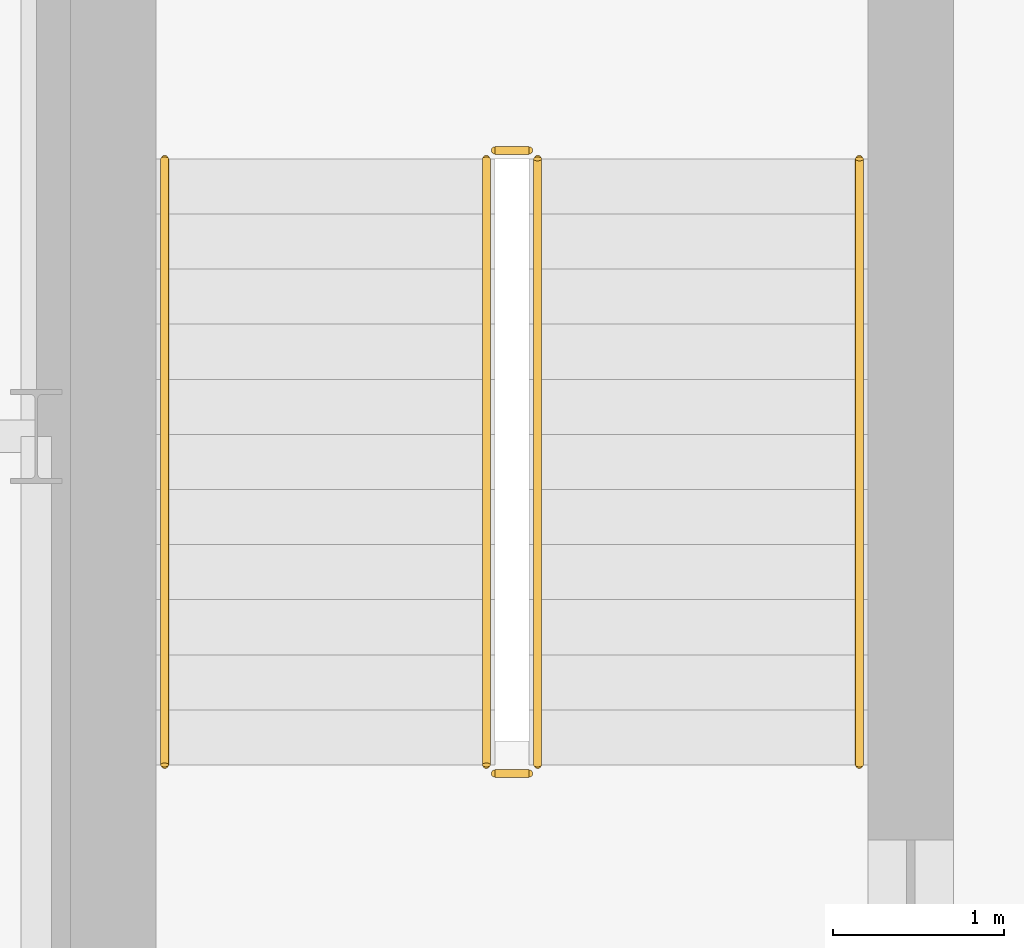
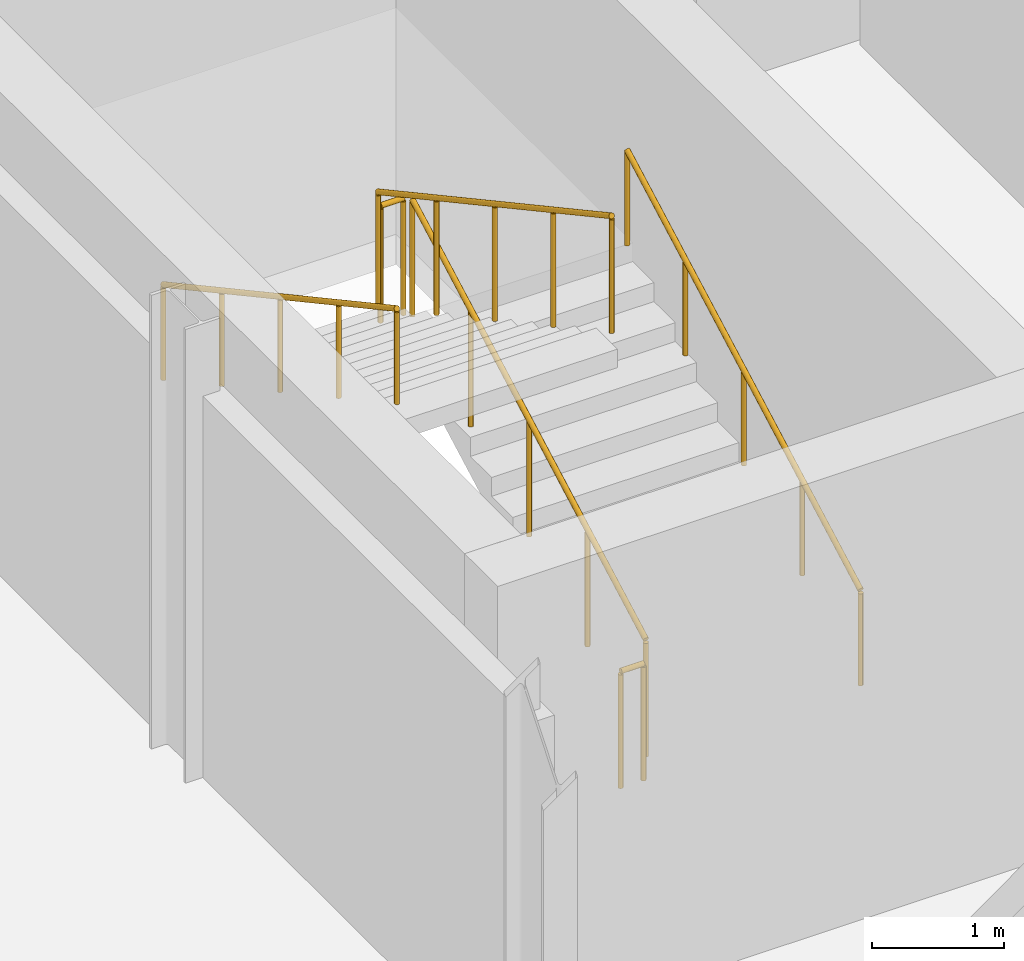
# One storey, part 44 of 45: 6 railings.
"""IFC4 building model written with IfcOpenShell, lengths in metres."""

from ifc_helpers import new_model, si_unit, direction, frame, origin, origin_2d, place, context, subcontext, project, spatial, circle, extrude, material, type_object, element, save


model = new_model("IFC4")

# Units and contexts
model_context = context("Model", 3, precision=1e-05, world=origin(), true_north=direction((0.0, 1.0)))
body_context = subcontext(model_context, "Body", "Model", "MODEL_VIEW")
ifc_project = project(units=[si_unit("LENGTHUNIT", "METRE"), si_unit("AREAUNIT", "SQUARE_METRE"), si_unit("VOLUMEUNIT", "CUBIC_METRE"), si_unit("PLANEANGLEUNIT", "RADIAN"), si_unit("MASSUNIT", "GRAM", prefix="KILO")], contexts=[model_context])

# Site, building, storey
site_placement = place(None, origin())
site = spatial("IfcSite", under=ifc_project, at=site_placement, CompositionType="ELEMENT")
building_placement = place(site_placement, origin())
building = spatial("IfcBuilding", under=site, at=building_placement, Name="Sefraquen Railside Congress Hotel", CompositionType="ELEMENT")
storey_placement = place(building_placement, frame((0.0, 0.0, 20.39990234375)))
storey = spatial("IfcBuildingStorey", under=building, at=storey_placement, Name="L04", CompositionType="ELEMENT", Elevation=20.39990234375)

# Railings
ifc_material = material(Name="Patinated wrought architectural bronze", Category="metal")
railing_type_1 = type_object("IfcRailingType", Name="TRL-BAL-110", PredefinedType="BALUSTRADE", material=ifc_material)
railing_1_placement = place(storey_placement, frame((67.1298828125, 99.47998046875, 0.175048828125)))
element("IfcRailing", 1, at=railing_1_placement, inside=storey, type_object=railing_type_1, Name="L04 ST-H03 stair guard 1", PredefinedType="BALUSTRADE", context=body_context, shape_type="SweptSolid", body=[
    extrude(circle(Radius=0.02392578125, at=origin_2d()), frame((0.0, 0.0, 1.076171875), z_axis=(0.0, 0.878618985891, 0.477523483854), x_axis=(-1.0, 0.0, 0.0)), (0.0, 0.0, 1.0), 4.03125),
    extrude(circle(Radius=0.02099609375, at=origin_2d()), origin(), (0.0, 0.0, 1.0), 1.052001953125),
    extrude(circle(Radius=0.02099609375, at=origin_2d()), frame((0.0, 0.885498046875, 0.481201171875)), (0.0, 0.0, 1.0), 1.052001953125),
    extrude(circle(Radius=0.02099609375, at=origin_2d()), frame((0.0, 1.77099609375, 0.96240234375)), (0.0, 0.0, 1.0), 1.052001953125),
    extrude(circle(Radius=0.02099609375, at=origin_2d()), frame((0.0, 2.656494140625, 1.44384765625)), (0.0, 0.0, 1.0), 1.052001953125),
    extrude(circle(Radius=0.02099609375, at=origin_2d()), frame((0.0, 3.5419921875, 1.925048828125)), (0.0, 0.0, 1.0), 1.052001953125),
])
railing_2_placement = place(storey_placement, frame((67.080078125, 103.072021484375, 2.10009765625)))
element("IfcRailing", 2, at=railing_2_placement, inside=storey, type_object=railing_type_1, Name="L04 ST-H03 stair guard 2", PredefinedType="BALUSTRADE", context=body_context, shape_type="SweptSolid", body=[
    extrude(circle(Radius=0.02392578125, at=origin_2d()), frame((0.0, 0.0, 1.076171875), z_axis=(-1.0, 0.0, 0.0), x_axis=(0.0, -1.0, 0.0)), (0.0, 0.0, 1.0), 0.2001953125),
    extrude(circle(Radius=0.02099609375, at=origin_2d()), origin(), (0.0, 0.0, 1.0), 1.052001953125),
    extrude(circle(Radius=0.02099609375, at=origin_2d()), frame((-0.2001953125, 0.0, 0.0)), (0.0, 0.0, 1.0), 1.052001953125),
])
railing_3_placement = place(storey_placement, frame((66.830078125, 103.02197265625, 2.275146484375)))
element("IfcRailing", 3, at=railing_3_placement, inside=storey, type_object=railing_type_1, Name="L04 ST-H03 stair guard 3", PredefinedType="BALUSTRADE", context=body_context, shape_type="SweptSolid", body=[
    extrude(circle(Radius=0.02392578125, at=origin_2d()), frame((0.0, 0.0, 1.076171875), z_axis=(0.0, -0.878618985891, 0.477523483854), x_axis=(1.0, 0.0, 0.0)), (0.0, 0.0, 1.0), 4.03125),
    extrude(circle(Radius=0.02099609375, at=origin_2d()), origin(), (0.0, 0.0, 1.0), 1.052001953125),
    extrude(circle(Radius=0.02099609375, at=origin_2d()), frame((0.0, -0.885498046875, 0.481201171875)), (0.0, 0.0, 1.0), 1.052001953125),
    extrude(circle(Radius=0.02099609375, at=origin_2d()), frame((0.0, -1.77099609375, 0.96240234375)), (0.0, 0.0, 1.0), 1.052001953125),
    extrude(circle(Radius=0.02099609375, at=origin_2d()), frame((0.0, -2.656494140625, 1.44384765625)), (0.0, 0.0, 1.0), 1.052001953125),
    extrude(circle(Radius=0.02099609375, at=origin_2d()), frame((0.0, -3.5419921875, 1.925048828125)), (0.0, 0.0, 1.0), 1.052001953125),
])
railing_4_placement = place(storey_placement, frame((67.080078125, 99.429931640625, 0.0)))
element("IfcRailing", 4, at=railing_4_placement, inside=storey, type_object=railing_type_1, Name="L04 ST-H03 stair guard 4", PredefinedType="BALUSTRADE", context=body_context, shape_type="SweptSolid", body=[
    extrude(circle(Radius=0.02392578125, at=origin_2d()), frame((0.0, 0.0, 1.076171875), z_axis=(-1.0, 0.0, 0.0), x_axis=(0.0, -1.0, 0.0)), (0.0, 0.0, 1.0), 0.2001953125),
    extrude(circle(Radius=0.02099609375, at=origin_2d()), origin(), (0.0, 0.0, 1.0), 1.052001953125),
    extrude(circle(Radius=0.02099609375, at=origin_2d()), frame((-0.2001953125, 0.0, 0.0)), (0.0, 0.0, 1.0), 1.052001953125),
])
railing_type_2 = type_object("IfcRailingType", Name="TRL-HR-090", PredefinedType="HANDRAIL", material=ifc_material)
railing_5_placement = place(storey_placement, frame((69.010009765625, 99.47998046875, 0.175048828125)))
element("IfcRailing", 5, at=railing_5_placement, inside=storey, type_object=railing_type_2, Name="L04 ST-H03 stair handrail 1", PredefinedType="HANDRAIL", context=body_context, shape_type="SweptSolid", body=[
    extrude(circle(Radius=0.02392578125, at=origin_2d()), frame((0.0, 0.0, 0.8759765625), z_axis=(0.0, 0.878618985891, 0.477523483854), x_axis=(-1.0, 0.0, 0.0)), (0.0, 0.0, 1.0), 4.03125),
    extrude(circle(Radius=0.02099609375, at=origin_2d()), origin(), (0.0, 0.0, 1.0), 0.851806640625),
    extrude(circle(Radius=0.02099609375, at=origin_2d()), frame((0.0, 0.885498046875, 0.481201171875)), (0.0, 0.0, 1.0), 0.851806640625),
    extrude(circle(Radius=0.02099609375, at=origin_2d()), frame((0.0, 1.77099609375, 0.96240234375)), (0.0, 0.0, 1.0), 0.851806640625),
    extrude(circle(Radius=0.02099609375, at=origin_2d()), frame((0.0, 2.656494140625, 1.44384765625)), (0.0, 0.0, 1.0), 0.851806640625),
    extrude(circle(Radius=0.02099609375, at=origin_2d()), frame((0.0, 3.5419921875, 1.925048828125)), (0.0, 0.0, 1.0), 0.851806640625),
])
railing_6_placement = place(storey_placement, frame((64.949951171875, 103.02197265625, 2.275146484375)))
element("IfcRailing", 6, at=railing_6_placement, inside=storey, type_object=railing_type_2, Name="L04 ST-H03 stair handrail 2", PredefinedType="HANDRAIL", context=body_context, shape_type="SweptSolid", body=[
    extrude(circle(Radius=0.02392578125, at=origin_2d()), frame((0.0, 0.0, 0.8759765625), z_axis=(0.0, -0.878618985891, 0.477523483854), x_axis=(1.0, 0.0, 0.0)), (0.0, 0.0, 1.0), 4.03125),
    extrude(circle(Radius=0.02099609375, at=origin_2d()), origin(), (0.0, 0.0, 1.0), 0.851806640625),
    extrude(circle(Radius=0.02099609375, at=origin_2d()), frame((0.0, -0.885498046875, 0.481201171875)), (0.0, 0.0, 1.0), 0.851806640625),
    extrude(circle(Radius=0.02099609375, at=origin_2d()), frame((0.0, -1.77099609375, 0.96240234375)), (0.0, 0.0, 1.0), 0.851806640625),
    extrude(circle(Radius=0.02099609375, at=origin_2d()), frame((0.0, -2.656494140625, 1.44384765625)), (0.0, 0.0, 1.0), 0.851806640625),
    extrude(circle(Radius=0.02099609375, at=origin_2d()), frame((0.0, -3.5419921875, 1.925048828125)), (0.0, 0.0, 1.0), 0.851806640625),
])

save(model, "model.ifc")
